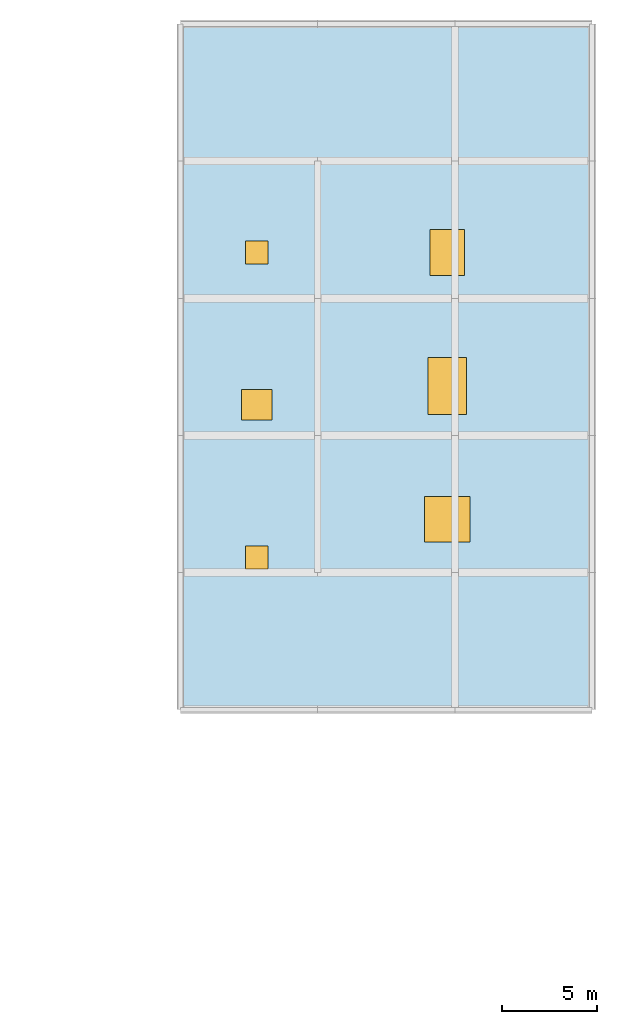
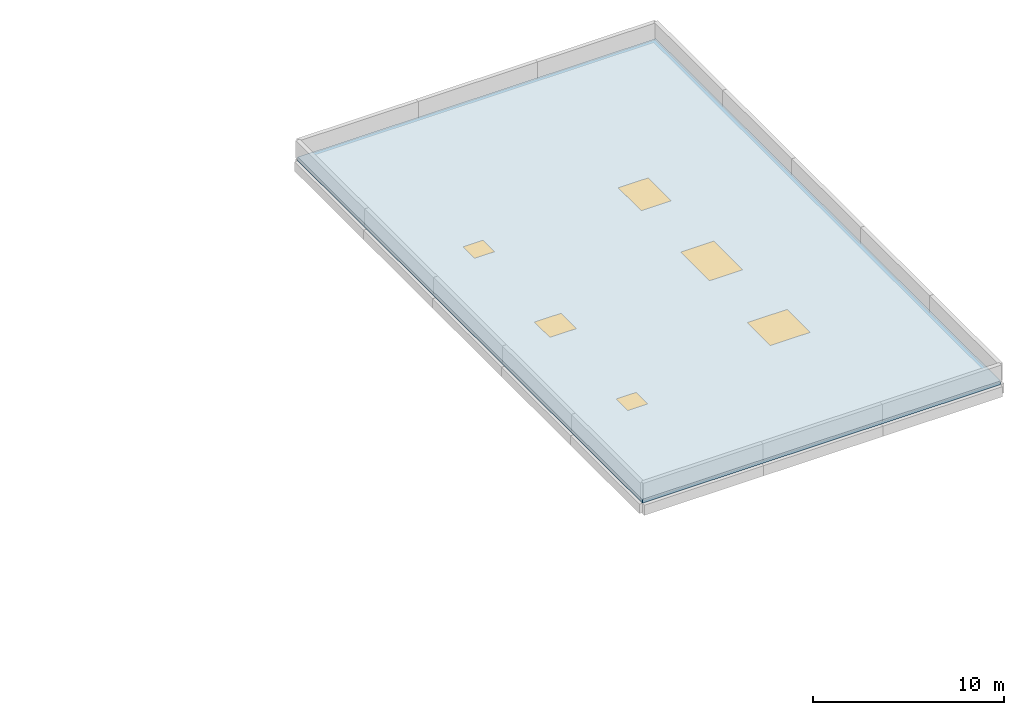
# One storey, part 13 of 18: 4 windows, 2 doors, 1 slab, 6 openings.
"""IFC4 building model written with IfcOpenShell, lengths in metres."""

from ifc_helpers import new_model, si_unit, direction, frame, origin, origin_2d, place, context, subcontext, project, spatial, polyline, rectangle, outline, extrude, material, layer, layer_set, type_object, element, fill, save


model = new_model("IFC4")

# Units and contexts
model_context = context("Model", 3, precision=1e-05, world=origin(), true_north=direction((0.0, 1.0)))
body_context = subcontext(model_context, "Body", "Model", "MODEL_VIEW")
ifc_project = project(units=[si_unit("LENGTHUNIT", "METRE"), si_unit("AREAUNIT", "SQUARE_METRE"), si_unit("VOLUMEUNIT", "CUBIC_METRE"), si_unit("PLANEANGLEUNIT", "RADIAN"), si_unit("MASSUNIT", "GRAM", prefix="KILO")], contexts=[model_context])

# Site, building, storey
site_placement = place(None, origin())
site = spatial("IfcSite", under=ifc_project, at=site_placement, CompositionType="ELEMENT")
building_placement = place(site_placement, origin())
building = spatial("IfcBuilding", under=site, at=building_placement, Name="Zornivar Specialist Clinic", CompositionType="ELEMENT")
storey_placement = place(building_placement, frame((0.0, 0.0, 23.39990234375)))
storey = spatial("IfcBuildingStorey", under=building, at=storey_placement, Name="L06", CompositionType="ELEMENT", Elevation=23.39990234375)

# Slab, openings, doors, windows
ifc_material_1 = material(Name="Concrete C30/37", Category="concrete")
ifc_layer = layer(ifc_material_1, 0.239990234375)
ifc_layer_set = layer_set([ifc_layer], Name="Concrete C30/37")
slab_type = type_object("IfcSlabType", Name="SLB-ROOF-FLAT-240", PredefinedType="ROOF", material=ifc_layer_set)
slab_placement = place(storey_placement, frame((0.0, 0.0, -0.239990234375)))
slab = element("IfcSlab", 1, at=slab_placement, inside=storey, type_object=slab_type, Name="slab:V6:L06:roof", PredefinedType="ROOF", context=body_context, shape_type="SweptSolid", body=[
    extrude(outline(polyline([(144.0, 72.0), (165.60009765625, 72.0), (165.60009765625, 108.0), (144.0, 108.0), (144.0, 72.0)])), origin(), (0.0, 0.0, 1.0), 0.239990234375),
])
opening_1_placement = place(slab_placement, frame((158.0, 82.0, 0.0)))
opening_1 = element("IfcOpeningElement", 2, at=opening_1_placement, cuts=slab, Name="Opening SK-01", PredefinedType="OPENING", context=body_context, shape_type="SweptSolid", body=[
    extrude(rectangle(XDim=2.39990234375, YDim=2.39990234375, at=origin_2d()), origin(), (0.0, 0.0, 1.0), 0.239990234375),
])
opening_2_placement = place(slab_placement, frame((158.0, 96.0, 0.0)))
opening_2 = element("IfcOpeningElement", 3, at=opening_2_placement, cuts=slab, Name="Opening SK-03", PredefinedType="OPENING", context=body_context, shape_type="SweptSolid", body=[
    extrude(rectangle(XDim=1.800048828125, YDim=2.39990234375, at=origin_2d()), origin(), (0.0, 0.0, 1.0), 0.239990234375),
])
opening_3_placement = place(slab_placement, frame((158.0, 89.0, 0.0)))
opening_3 = element("IfcOpeningElement", 4, at=opening_3_placement, cuts=slab, Name="Opening SK-02", PredefinedType="OPENING", context=body_context, shape_type="SweptSolid", body=[
    extrude(rectangle(XDim=2.0, YDim=3.0, at=origin_2d()), origin(), (0.0, 0.0, 1.0), 0.239990234375),
])
opening_4_placement = place(slab_placement, frame((148.0, 88.0, 0.0)))
opening_4 = element("IfcOpeningElement", 5, at=opening_4_placement, cuts=slab, Name="Opening SK-04", PredefinedType="OPENING", context=body_context, shape_type="SweptSolid", body=[
    extrude(rectangle(XDim=1.60009765625, YDim=1.60009765625, at=origin_2d()), origin(), (0.0, 0.0, 1.0), 0.239990234375),
])
opening_5_placement = place(slab_placement, frame((148.0, 96.0, 0.0)))
opening_5 = element("IfcOpeningElement", 6, at=opening_5_placement, cuts=slab, Name="Opening RH-01", PredefinedType="OPENING", context=body_context, shape_type="SweptSolid", body=[
    extrude(rectangle(XDim=1.199951171875, YDim=1.199951171875, at=origin_2d()), origin(), (0.0, 0.0, 1.0), 0.239990234375),
])
opening_6_placement = place(slab_placement, frame((148.0, 80.0, 0.0)))
opening_6 = element("IfcOpeningElement", 7, at=opening_6_placement, cuts=slab, Name="Opening RH-01", PredefinedType="OPENING", context=body_context, shape_type="SweptSolid", body=[
    extrude(rectangle(XDim=1.199951171875, YDim=1.199951171875, at=origin_2d()), origin(), (0.0, 0.0, 1.0), 0.239990234375),
])
ifc_material_2 = material(Name="Thermally Broken Glazed Aluminium Door", Category="aluminium")
door_type = type_object("IfcDoorType", Name="RH-HATCH-1200x1200", OperationType="NOTDEFINED", PredefinedType="TRAPDOOR", material=ifc_material_2)
door_1_placement = place(opening_5_placement, frame((0.0, 0.0, 0.18994140625)))
door_1 = element("IfcDoor", 8, at=door_1_placement, inside=storey, type_object=door_type, Name="hatch:V6:L06:4", OperationType="SINGLE_SWING_LEFT", OverallHeight=1.199951171875, OverallWidth=1.199951171875, PredefinedType="TRAPDOOR", context=body_context, shape_type="SweptSolid", body=[
    extrude(rectangle(XDim=1.199951171875, YDim=1.199951171875, at=origin_2d()), origin(), (0.0, 0.0, 1.0), 0.050048828125),
])
fill(opening_5, door_1)
door_2_placement = place(opening_6_placement, frame((0.0, 0.0, 0.18994140625)))
door_2 = element("IfcDoor", 9, at=door_2_placement, inside=storey, type_object=door_type, Name="hatch:V6:L06:5", OperationType="SINGLE_SWING_LEFT", OverallHeight=1.199951171875, OverallWidth=1.199951171875, PredefinedType="TRAPDOOR", context=body_context, shape_type="SweptSolid", body=[
    extrude(rectangle(XDim=1.199951171875, YDim=1.199951171875, at=origin_2d()), origin(), (0.0, 0.0, 1.0), 0.050048828125),
])
fill(opening_6, door_2)
ifc_material_3 = material(Name="Triple-Glazed Aluminium-Timber Window Glass", Category="wood")
window_type_1 = type_object("IfcWindowType", Name="SKY-ROOF-1600x1600", PartitioningType="SINGLE_PANEL", PredefinedType="SKYLIGHT", material=ifc_material_3)
window_1_placement = place(opening_4_placement, frame((0.0, 0.0, 0.18994140625)))
window_1 = element("IfcWindow", 10, at=window_1_placement, inside=storey, type_object=window_type_1, Name="hatch:V6:L06:3", OverallHeight=1.60009765625, OverallWidth=1.60009765625, PartitioningType="SINGLE_PANEL", PredefinedType="SKYLIGHT", context=body_context, shape_type="SweptSolid", body=[
    extrude(rectangle(XDim=1.60009765625, YDim=1.60009765625, at=origin_2d()), origin(), (0.0, 0.0, 1.0), 0.050048828125),
])
fill(opening_4, window_1)
ifc_material_4 = material(Name="Triple-Glazed Aluminium-Timber Window Glass", Category="wood")
window_type_2 = type_object("IfcWindowType", Name="SKY-ROOF-1800x2400", PartitioningType="SINGLE_PANEL", PredefinedType="SKYLIGHT", material=ifc_material_4)
window_2_placement = place(opening_2_placement, frame((0.0, 0.0, 0.18994140625)))
window_2 = element("IfcWindow", 11, at=window_2_placement, inside=storey, type_object=window_type_2, Name="hatch:V6:L06:1", OverallHeight=2.39990234375, OverallWidth=1.800048828125, PartitioningType="SINGLE_PANEL", PredefinedType="SKYLIGHT", context=body_context, shape_type="SweptSolid", body=[
    extrude(rectangle(XDim=1.800048828125, YDim=2.39990234375, at=origin_2d()), origin(), (0.0, 0.0, 1.0), 0.050048828125),
])
fill(opening_2, window_2)
ifc_material_5 = material(Name="Triple-Glazed Aluminium-Timber Window Glass", Category="wood")
window_type_3 = type_object("IfcWindowType", Name="SKY-ROOF-2000x3000", PartitioningType="SINGLE_PANEL", PredefinedType="SKYLIGHT", material=ifc_material_5)
window_3_placement = place(opening_3_placement, frame((0.0, 0.0, 0.18994140625)))
window_3 = element("IfcWindow", 12, at=window_3_placement, inside=storey, type_object=window_type_3, Name="hatch:V6:L06:2", OverallHeight=3.0, OverallWidth=2.0, PartitioningType="SINGLE_PANEL", PredefinedType="SKYLIGHT", context=body_context, shape_type="SweptSolid", body=[
    extrude(rectangle(XDim=2.0, YDim=3.0, at=origin_2d()), origin(), (0.0, 0.0, 1.0), 0.050048828125),
])
fill(opening_3, window_3)
ifc_material_6 = material(Name="Triple-Glazed Aluminium-Timber Window Glass", Category="wood")
window_type_4 = type_object("IfcWindowType", Name="SKY-ROOF-2400x2400", PartitioningType="SINGLE_PANEL", PredefinedType="SKYLIGHT", material=ifc_material_6)
window_4_placement = place(opening_1_placement, frame((0.0, 0.0, 0.18994140625)))
window_4 = element("IfcWindow", 13, at=window_4_placement, inside=storey, type_object=window_type_4, Name="hatch:V6:L06:0", OverallHeight=2.39990234375, OverallWidth=2.39990234375, PartitioningType="SINGLE_PANEL", PredefinedType="SKYLIGHT", context=body_context, shape_type="SweptSolid", body=[
    extrude(rectangle(XDim=2.39990234375, YDim=2.39990234375, at=origin_2d()), origin(), (0.0, 0.0, 1.0), 0.050048828125),
])
fill(opening_1, window_4)

save(model, "model.ifc")
